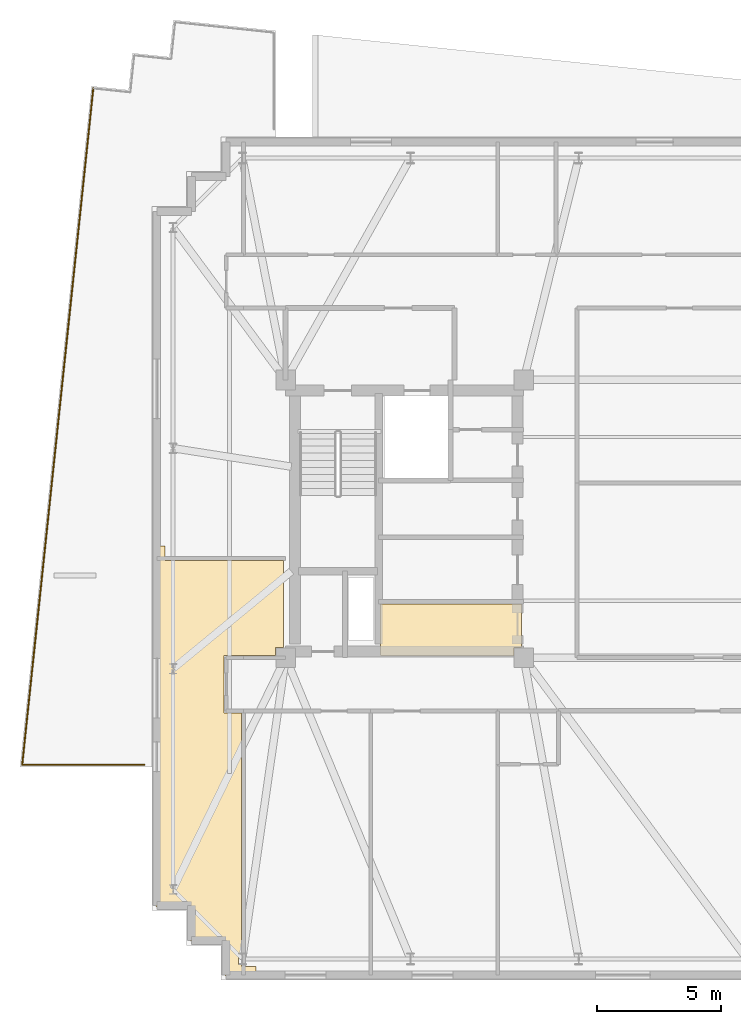
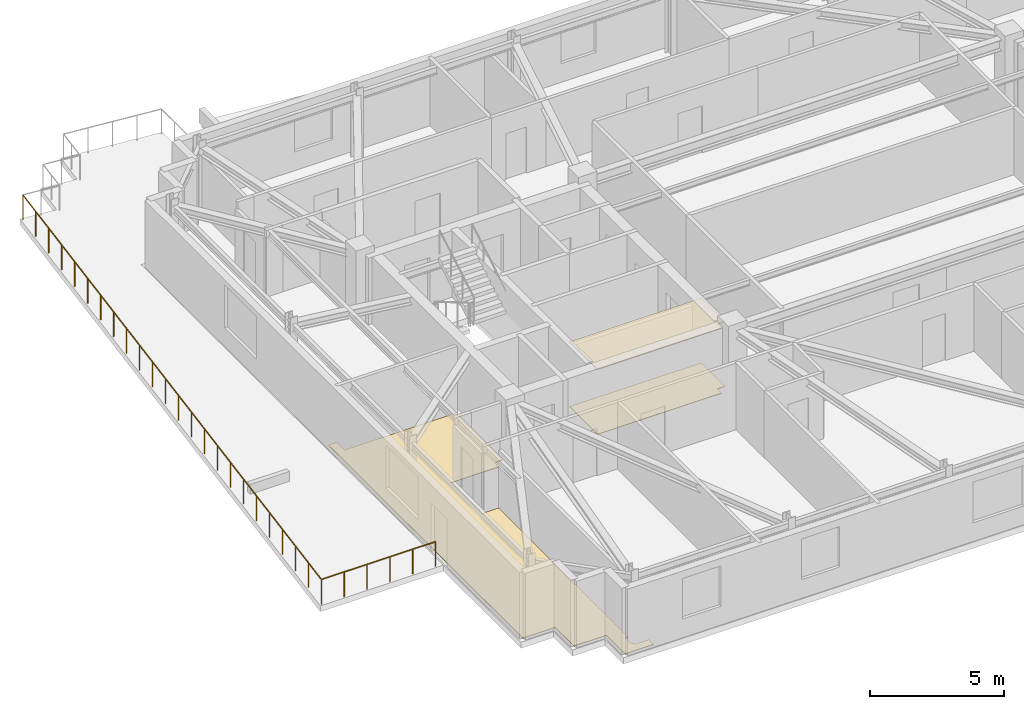
# One storey, part 9 of 12: 3 coverings, 1 railing.
"""IFC4 building model written with IfcOpenShell, lengths in metres."""

from ifc_helpers import new_model, si_unit, direction, frame, origin, origin_2d, place, context, subcontext, project, spatial, polyline, circle, outline, extrude, material, layer, layer_set, type_object, element, save


model = new_model("IFC4")

# Units and contexts
model_context = context("Model", 3, precision=1e-05, world=origin(), true_north=direction((0.0, 1.0)))
body_context = subcontext(model_context, "Body", "Model", "MODEL_VIEW")
ifc_project = project(units=[si_unit("LENGTHUNIT", "METRE"), si_unit("AREAUNIT", "SQUARE_METRE"), si_unit("VOLUMEUNIT", "CUBIC_METRE"), si_unit("PLANEANGLEUNIT", "RADIAN"), si_unit("MASSUNIT", "GRAM", prefix="KILO")], contexts=[model_context])

# Site, building, storey
site_placement = place(None, origin())
site = spatial("IfcSite", under=ifc_project, at=site_placement, CompositionType="ELEMENT")
building_placement = place(site_placement, origin())
building = spatial("IfcBuilding", under=site, at=building_placement, Name="Qobustan Lattice House", CompositionType="ELEMENT")
storey_placement = place(building_placement, frame((0.0, 0.0, 228.300048828125)))
storey = spatial("IfcBuildingStorey", under=building, at=storey_placement, Name="L64", CompositionType="ELEMENT", Elevation=228.300048828125)

# Coverings
ifc_material_1 = material(Name="Perforated gypsum acoustic ceiling", Category="gypsum")
ifc_layer_1 = layer(ifc_material_1, 0.030029296875)
ifc_layer_set_1 = layer_set([ifc_layer_1], Name="Perforated gypsum acoustic ceiling")
covering_type_1 = type_object("IfcCoveringType", Name="COV-ACOUSTIC-CEIL", PredefinedType="CEILING", material=ifc_layer_set_1)
covering_1_placement = place(storey_placement, frame((0.0, 0.0, 2.949951171875)))
element("IfcCovering", 1, at=covering_1_placement, inside=storey, type_object=covering_type_1, Name="L64 Quiet study alcove acoustic ceiling", PredefinedType="CEILING", context=body_context, shape_type="SweptSolid", body=[
    extrude(outline(polyline([(-9.280029296875, -3.429931640625), (-14.969970703125, -3.429931640625), (-14.969970703125, -5.52001953125), (-9.60205078125, -5.52001953125), (-9.60205078125, -5.197998046875), (-9.280029296875, -5.197998046875), (-9.280029296875, -3.429931640625)])), origin(), (0.0, 0.0, 1.0), 0.030029296875),
])
ifc_material_2 = material(Name="Honed Absheron stone terrazzo flooring", Category="masonry")
ifc_layer_2 = layer(ifc_material_2, 0.02490234375)
ifc_layer_set_2 = layer_set([ifc_layer_2], Name="Honed Absheron stone terrazzo flooring")
covering_type_2 = type_object("IfcCoveringType", Name="COV-TERRAZZO-FLR", PredefinedType="FLOORING", material=ifc_layer_set_2)
covering_2_placement = place(storey_placement, origin())
element("IfcCovering", 2, at=covering_2_placement, inside=storey, type_object=covering_type_2, Name="L64 Quiet study alcove stone terrazzo flooring", PredefinedType="FLOORING", context=body_context, shape_type="SweptSolid", body=[
    extrude(outline(polyline([(-9.280029296875, -3.429931640625), (-14.969970703125, -3.429931640625), (-14.969970703125, -5.52001953125), (-9.60205078125, -5.52001953125), (-9.60205078125, -5.197998046875), (-9.280029296875, -5.197998046875), (-9.280029296875, -3.429931640625)])), origin(), (0.0, 0.0, 1.0), 0.02490234375),
])
covering_3_placement = place(storey_placement, origin())
element("IfcCovering", 3, at=covering_3_placement, inside=storey, type_object=covering_type_2, Name="L64 Spiral terrace south lounge stone terrazzo flooring", PredefinedType="FLOORING", context=body_context, shape_type="SweptSolid", body=[
    extrude(outline(polyline([(-22.6298828125, -17.030029296875), (-21.22998046875, -17.030029296875), (-21.22998046875, -18.429931640625), (-20.0, -18.429931640625), (-20.0, -18.06005859375), (-20.580078125, -18.06005859375), (-20.580078125, -17.97705078125), (-20.701904296875, -17.97705078125), (-20.701904296875, -17.52294921875), (-20.580078125, -17.52294921875), (-20.580078125, -7.830078125), (-21.280029296875, -7.830078125), (-21.280029296875, -5.52001953125), (-19.201904296875, -5.52001953125), (-19.201904296875, -5.197998046875), (-18.8798828125, -5.197998046875), (-18.8798828125, -1.679931640625), (-23.659912109375, -1.679931640625), (-23.659912109375, -1.10009765625), (-24.030029296875, -1.10009765625), (-24.030029296875, -15.6298828125), (-22.6298828125, -15.6298828125), (-22.6298828125, -17.030029296875)])), origin(), (0.0, 0.0, 1.0), 0.02490234375),
])

# Railing
ifc_material_3 = material(Name="Anodised bronze and laminated glass balustrade", Category="glass")
railing_type = type_object("IfcRailingType", Name="RAL-TERR-1150", PredefinedType="BALUSTRADE", material=ifc_material_3)
railing_placement = place(storey_placement, frame((-24.5, -9.919921875, 0.0)))
element("IfcRailing", 4, at=railing_placement, inside=storey, type_object=railing_type, Name="L64 outdoor terrace balustrade 2", PredefinedType="BALUSTRADE", context=body_context, shape_type="SweptSolid", body=[
    extrude(circle(Radius=0.02392578125, at=origin_2d()), frame((0.0, 0.0, 1.1259765625), z_axis=(-1.0, 0.0, 0.0), x_axis=(0.0, -1.0, 0.0)), (0.0, 0.0, 1.0), 4.927001953125),
    extrude(circle(Radius=0.02392578125, at=origin_2d()), frame((-4.927001953125, 0.0, 1.1259765625), z_axis=(0.104525406411, 0.994522216652, 0.0), x_axis=(-0.994522216652, 0.104525406411, 0.0)), (0.0, 0.0, 1.0), 27.430419921875),
    extrude(circle(Radius=0.02099609375, at=origin_2d()), origin(), (0.0, 0.0, 1.0), 1.101806640625),
    extrude(circle(Radius=0.02099609375, at=origin_2d()), frame((-0.9853515625, 0.0, 0.0)), (0.0, 0.0, 1.0), 1.101806640625),
    extrude(circle(Radius=0.02099609375, at=origin_2d()), frame((-1.970703125, 0.0, 0.0)), (0.0, 0.0, 1.0), 1.101806640625),
    extrude(circle(Radius=0.02099609375, at=origin_2d()), frame((-2.956298828125, 0.0, 0.0)), (0.0, 0.0, 1.0), 1.101806640625),
    extrude(circle(Radius=0.02099609375, at=origin_2d()), frame((-3.941650390625, 0.0, 0.0)), (0.0, 0.0, 1.0), 1.101806640625),
    extrude(circle(Radius=0.02099609375, at=origin_2d()), frame((-4.927001953125, 0.0, 0.0)), (0.0, 0.0, 1.0), 1.101806640625),
    extrude(circle(Radius=0.02099609375, at=origin_2d()), frame((-4.80224609375, 1.18603515625, 0.0)), (0.0, 0.0, 1.0), 1.101806640625),
    extrude(circle(Radius=0.02099609375, at=origin_2d()), frame((-4.677734375, 2.372314453125, 0.0)), (0.0, 0.0, 1.0), 1.101806640625),
    extrude(circle(Radius=0.02099609375, at=origin_2d()), frame((-4.552978515625, 3.558349609375, 0.0)), (0.0, 0.0, 1.0), 1.101806640625),
    extrude(circle(Radius=0.02099609375, at=origin_2d()), frame((-4.428466796875, 4.744384765625, 0.0)), (0.0, 0.0, 1.0), 1.101806640625),
    extrude(circle(Radius=0.02099609375, at=origin_2d()), frame((-4.3037109375, 5.930419921875, 0.0)), (0.0, 0.0, 1.0), 1.101806640625),
    extrude(circle(Radius=0.02099609375, at=origin_2d()), frame((-4.178955078125, 7.11669921875, 0.0)), (0.0, 0.0, 1.0), 1.101806640625),
    extrude(circle(Radius=0.02099609375, at=origin_2d()), frame((-4.054443359375, 8.302734375, 0.0)), (0.0, 0.0, 1.0), 1.101806640625),
    extrude(circle(Radius=0.02099609375, at=origin_2d()), frame((-3.9296875, 9.48876953125, 0.0)), (0.0, 0.0, 1.0), 1.101806640625),
    extrude(circle(Radius=0.02099609375, at=origin_2d()), frame((-3.80517578125, 10.6748046875, 0.0)), (0.0, 0.0, 1.0), 1.101806640625),
    extrude(circle(Radius=0.02099609375, at=origin_2d()), frame((-3.680419921875, 11.861083984375, 0.0)), (0.0, 0.0, 1.0), 1.101806640625),
    extrude(circle(Radius=0.02099609375, at=origin_2d()), frame((-3.5556640625, 13.047119140625, 0.0)), (0.0, 0.0, 1.0), 1.101806640625),
    extrude(circle(Radius=0.02099609375, at=origin_2d()), frame((-3.43115234375, 14.233154296875, 0.0)), (0.0, 0.0, 1.0), 1.101806640625),
    extrude(circle(Radius=0.02099609375, at=origin_2d()), frame((-3.306396484375, 15.419189453125, 0.0)), (0.0, 0.0, 1.0), 1.101806640625),
    extrude(circle(Radius=0.02099609375, at=origin_2d()), frame((-3.181640625, 16.60546875, 0.0)), (0.0, 0.0, 1.0), 1.101806640625),
    extrude(circle(Radius=0.02099609375, at=origin_2d()), frame((-3.05712890625, 17.79150390625, 0.0)), (0.0, 0.0, 1.0), 1.101806640625),
    extrude(circle(Radius=0.02099609375, at=origin_2d()), frame((-2.932373046875, 18.9775390625, 0.0)), (0.0, 0.0, 1.0), 1.101806640625),
    extrude(circle(Radius=0.02099609375, at=origin_2d()), frame((-2.807861328125, 20.16357421875, 0.0)), (0.0, 0.0, 1.0), 1.101806640625),
    extrude(circle(Radius=0.02099609375, at=origin_2d()), frame((-2.68310546875, 21.349853515625, 0.0)), (0.0, 0.0, 1.0), 1.101806640625),
    extrude(circle(Radius=0.02099609375, at=origin_2d()), frame((-2.558349609375, 22.535888671875, 0.0)), (0.0, 0.0, 1.0), 1.101806640625),
    extrude(circle(Radius=0.02099609375, at=origin_2d()), frame((-2.433837890625, 23.721923828125, 0.0)), (0.0, 0.0, 1.0), 1.101806640625),
    extrude(circle(Radius=0.02099609375, at=origin_2d()), frame((-2.30908203125, 24.907958984375, 0.0)), (0.0, 0.0, 1.0), 1.101806640625),
    extrude(circle(Radius=0.02099609375, at=origin_2d()), frame((-2.1845703125, 26.09423828125, 0.0)), (0.0, 0.0, 1.0), 1.101806640625),
    extrude(circle(Radius=0.02099609375, at=origin_2d()), frame((-2.059814453125, 27.2802734375, 0.0)), (0.0, 0.0, 1.0), 1.101806640625),
])

save(model, "model.ifc")
